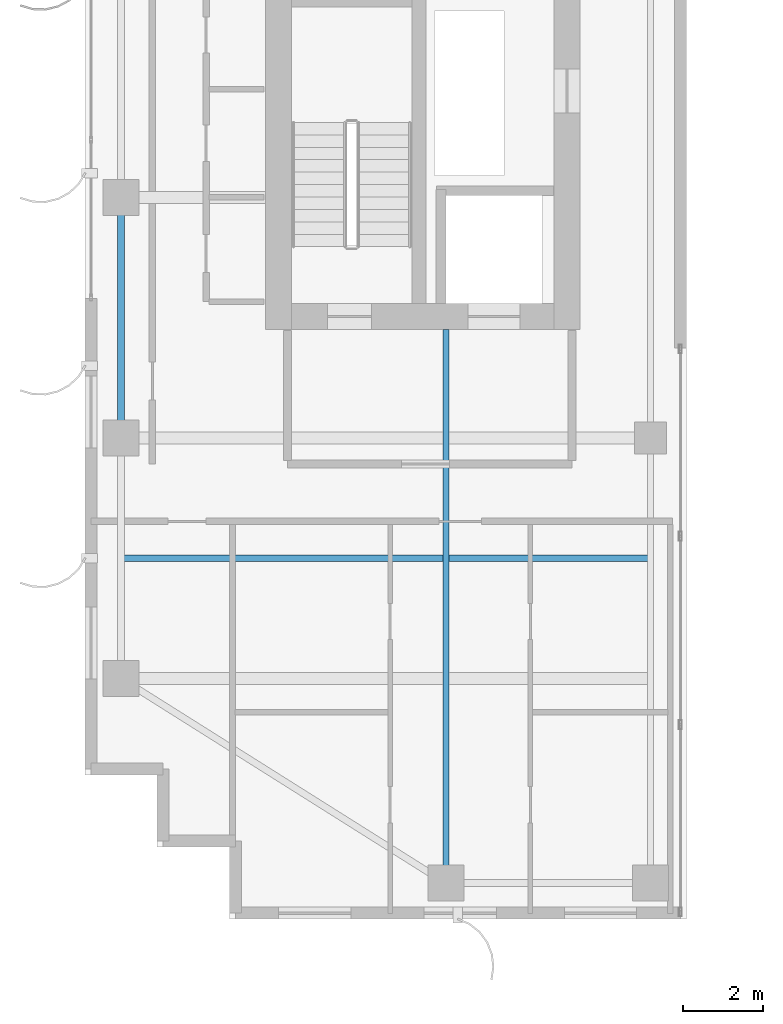
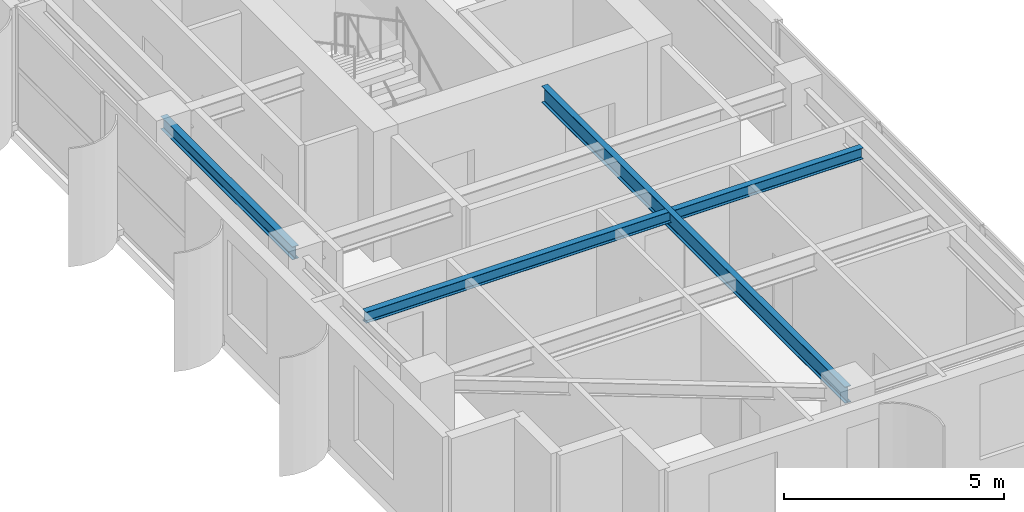
# One storey, part 3 of 22: 3 beams.
"""IFC4 building model written with IfcOpenShell, lengths in metres."""

import ifcopenshell
import ifcopenshell.guid

model = None  # the IFC model being written
_history = None  # IfcOwnerHistory: only IFC2X3 demands one
_inside = {}  # id of a spatial element -> (the spatial element, [elements in it])
_under = {}  # id of a project, library or spatial element -> (it, [spatial elements below it])
_declared = {}  # id of a project -> (the project, [libraries it declares])
_typed = {}  # id of a type object -> (the type object, [elements of that type])
_made_of = {}  # id of a material, layer set ... -> (it, [elements and type objects made of it])


def new_model(schema):
    """Start an empty IFC model of exactly this schema.

    Asked for "IFC4X3", IfcOpenShell would pick the latest addendum, in which some entities
    have other attributes; the version numbers below select the first issue.
    IFC2X3 requires an IfcOwnerHistory on every rooted entity: one is made here for all.
    """
    global model, _history
    if schema == "IFC4X3":
        model = ifcopenshell.file(schema_version=(4, 3, 0, 0))
    else:
        model = ifcopenshell.file(schema=schema)
    _inside.clear()
    _under.clear()
    _declared.clear()
    _typed.clear()
    _made_of.clear()
    _history = None
    if model.schema == "IFC2X3":
        org = make("IfcOrganization", Name="unknown")
        user = make(
            "IfcPersonAndOrganization",
            ThePerson=make("IfcPerson", FamilyName="unknown"),
            TheOrganization=org,
        )
        app = make(
            "IfcApplication",
            ApplicationDeveloper=org,
            Version="unknown",
            ApplicationFullName="unknown",
            ApplicationIdentifier="unknown",
        )
        _history = make(
            "IfcOwnerHistory",
            OwningUser=user,
            OwningApplication=app,
            ChangeAction="ADDED",
            CreationDate=0,
        )
    return model


def make(cls, **values):
    """One entity of the class cls with the attributes given. An attribute that is None is left unset."""
    return model.create_entity(
        cls, **{name: value for name, value in values.items() if value is not None}
    )


def rooted(cls, **values):
    """An entity with a GlobalId (a new one), such as an element, a storey or a relation."""
    return make(cls, GlobalId=ifcopenshell.guid.new(), OwnerHistory=_history, **values)


def si_unit(unit_type, name, prefix=None):
    """IfcSIUnit, for example si_unit("LENGTHUNIT", "METRE", prefix="MILLI")."""
    return make("IfcSIUnit", UnitType=unit_type, Prefix=prefix, Name=name)


def assignment(units):
    """IfcUnitAssignment: the units of a project."""
    return None if units is None else make("IfcUnitAssignment", Units=units)


def point(xyz):
    """IfcCartesianPoint."""
    return None if xyz is None else make("IfcCartesianPoint", Coordinates=xyz)


def direction(xyz):
    """IfcDirection."""
    return None if xyz is None else make("IfcDirection", DirectionRatios=xyz)


def frame(location, z_axis=None, x_axis=None):
    """IfcAxis2Placement3D, a coordinate frame: its origin and axes. An axis left out is left unset."""
    return make(
        "IfcAxis2Placement3D",
        Location=point(location),
        Axis=direction(z_axis),
        RefDirection=direction(x_axis),
    )


def frame_2d(location, x_axis=None):
    """IfcAxis2Placement2D, a coordinate frame in the plane: its origin and x axis."""
    return make(
        "IfcAxis2Placement2D", Location=point(location), RefDirection=direction(x_axis)
    )


def origin():
    """The frame at (0, 0, 0) with its axes left unset."""
    return frame((0.0, 0.0, 0.0))


def origin_2d():
    """The frame at (0, 0) in the plane with its x axis left unset."""
    return frame_2d((0.0, 0.0))


def place(relative_to, where):
    """IfcLocalPlacement: puts the frame where relative to a parent placement (None: the world)."""
    return make(
        "IfcLocalPlacement", PlacementRelTo=relative_to, RelativePlacement=where
    )


def context(
    kind, dimensions, precision=None, world=None, true_north=None, identifier=None
):
    """IfcGeometricRepresentationContext, for example the 3D "Model" context."""
    return make(
        "IfcGeometricRepresentationContext",
        ContextIdentifier=identifier,
        ContextType=kind,
        CoordinateSpaceDimension=dimensions,
        Precision=precision,
        WorldCoordinateSystem=world,
        TrueNorth=true_north,
    )


def subcontext(parent, identifier, kind, view, scale=None):
    """IfcGeometricRepresentationSubContext, for example "Body" below "Model"."""
    return make(
        "IfcGeometricRepresentationSubContext",
        ContextIdentifier=identifier,
        ContextType=kind,
        ParentContext=parent,
        TargetScale=scale,
        TargetView=view,
    )


def project(units=None, contexts=None):
    """IfcProject with its units and contexts."""
    return rooted(
        "IfcProject",
        Name="project",
        RepresentationContexts=contexts,
        UnitsInContext=assignment(units),
    )


def spatial(cls, under=None, at=None, **own):
    """A site, building, storey or space (cls), placed at a placement, below another one or the project."""
    s = rooted(cls, ObjectPlacement=at, **own)
    if under is not None:
        _under.setdefault(under.id(), (under, []))[1].append(s)
    return s


def profile(cls, at=None, kind="AREA", **sizes):
    """A parametric profile (cls). Its sizes go by their IFC names, for example OverallWidth=200.0."""
    return make(cls, ProfileType=kind, Position=at, **sizes)


def i_section(**sizes):
    """IfcIShapeProfileDef."""
    return profile("IfcIShapeProfileDef", **sizes)


def extrude(swept, where, along, depth):
    """IfcExtrudedAreaSolid: the profile swept, set in the frame where, extruded along a direction by depth."""
    return make(
        "IfcExtrudedAreaSolid",
        SweptArea=swept,
        Position=where,
        ExtrudedDirection=direction(along),
        Depth=depth,
    )


def shape(context_of_items, identifier, shape_type, items):
    """IfcShapeRepresentation: the items that make up one representation, for example the "Body"."""
    return make(
        "IfcShapeRepresentation",
        ContextOfItems=context_of_items,
        RepresentationIdentifier=identifier,
        RepresentationType=shape_type,
        Items=items,
    )


def source(mapping_origin, context_of_items, identifier, shape_type, items):
    """IfcRepresentationMap: a shape defined once, which mapped items show again and again."""
    return make(
        "IfcRepresentationMap",
        MappingOrigin=mapping_origin,
        MappedRepresentation=shape(context_of_items, identifier, shape_type, items),
    )


def transform(
    local_origin,
    x_axis=None,
    y_axis=None,
    z_axis=None,
    scale=None,
    scale2=None,
    scale3=None,
    uniform=True,
):
    """IfcCartesianTransformationOperator3D, or its non-uniform kind. x_axis, y_axis, z_axis: its Axis1, 2, 3."""
    if uniform:
        return make(
            "IfcCartesianTransformationOperator3D",
            Axis1=direction(x_axis),
            Axis2=direction(y_axis),
            LocalOrigin=point(local_origin),
            Scale=scale,
            Axis3=direction(z_axis),
        )
    return make(
        "IfcCartesianTransformationOperator3DnonUniform",
        Axis1=direction(x_axis),
        Axis2=direction(y_axis),
        LocalOrigin=point(local_origin),
        Scale=scale,
        Axis3=direction(z_axis),
        Scale2=scale2,
        Scale3=scale3,
    )


def mapped(mapping_source, mapping_target):
    """IfcMappedItem: shows the shape of a source again, moved by a transform."""
    return make(
        "IfcMappedItem", MappingSource=mapping_source, MappingTarget=mapping_target
    )


def material(Name=None, Category=None):
    """IfcMaterial."""
    return make("IfcMaterial", Name=Name, Category=Category)


def material_profile(
    of_material, cross_section, Name=None, Category=None, Priority=None
):
    """IfcMaterialProfile: a cross section and its material."""
    return make(
        "IfcMaterialProfile",
        Name=Name,
        Material=of_material,
        Profile=cross_section,
        Priority=Priority,
        Category=Category,
    )


def profile_set(profiles, Name=None, composite=None):
    """IfcMaterialProfileSet."""
    return make(
        "IfcMaterialProfileSet",
        Name=Name,
        MaterialProfiles=profiles,
        CompositeProfile=composite,
    )


def made_of(thing, what):
    """Note that an element or type object is made of a material, layer set ...; save() writes the relation."""
    if what is not None:
        _made_of.setdefault(what.id(), (what, []))[1].append(thing)
    return thing


def type_object(cls, material=None, **own):
    """A type object (cls), such as IfcWallType, which elements share."""
    return made_of(rooted(cls, **own), material)


def element(
    cls,
    number,
    at=None,
    inside=None,
    cuts=None,
    type_object=None,
    material=None,
    context=None,
    identifier="Body",
    shape_type=None,
    held_by="IfcProductDefinitionShape",
    body=None,
    shapes=None,
    **own,
):
    """One element of the class cls, such as IfcWall. Its Tag is "e" and its number.

    at: its placement. inside: the storey or other place that contains it. cuts: it is an
    opening in that element (IfcRelVoidsElement). A single representation is given by context,
    identifier, shape_type and body (its items); several are given by shapes. held_by: the class
    of the entity that holds the representations. save() writes the other relations.
    """
    e = rooted(cls, Tag="e%d" % number, ObjectPlacement=at, **own)
    if body is not None:
        shapes = [shape(context, identifier, shape_type, body)]
    if shapes is not None:
        e.Representation = make(held_by, Representations=shapes)
    if inside is not None:
        _inside.setdefault(inside.id(), (inside, []))[1].append(e)
    if cuts is not None:
        rooted(
            "IfcRelVoidsElement", RelatingBuildingElement=cuts, RelatedOpeningElement=e
        )
    if type_object is not None:
        _typed.setdefault(type_object.id(), (type_object, []))[1].append(e)
    return made_of(e, material)


def aggregate(whole, parts):
    """IfcRelAggregates: a whole, such as a stair, and the parts it consists of."""
    return rooted("IfcRelAggregates", RelatingObject=whole, RelatedObjects=parts)


def save(model, path):
    """Write the relations noted so far, then the file.

    IfcRelAggregates (storeys below a building ...), IfcRelContainedInSpatialStructure (elements
    in a storey), IfcRelDefinesByType, IfcRelAssociatesMaterial and IfcRelDeclares: one each for
    every whole, place, type object, material and project.
    """
    for whole, parts in _under.values():
        aggregate(whole, parts)
    for where, things in _inside.values():
        rooted(
            "IfcRelContainedInSpatialStructure",
            RelatedElements=things,
            RelatingStructure=where,
        )
    for kind, things in _typed.values():
        rooted("IfcRelDefinesByType", RelatedObjects=things, RelatingType=kind)
    for what, things in _made_of.values():
        rooted("IfcRelAssociatesMaterial", RelatedObjects=things, RelatingMaterial=what)
    for by, libraries in _declared.values():
        rooted("IfcRelDeclares", RelatingContext=by, RelatedDefinitions=libraries)
    model.write(path)


model = new_model("IFC4")

# Units and contexts
model_context = context("Model", 3, precision=1e-05, world=origin(), true_north=direction((0.0, 1.0)))
body_context = subcontext(model_context, "Body", "Model", "MODEL_VIEW")
ifc_project = project(units=[si_unit("LENGTHUNIT", "METRE"), si_unit("AREAUNIT", "SQUARE_METRE"), si_unit("VOLUMEUNIT", "CUBIC_METRE"), si_unit("PLANEANGLEUNIT", "RADIAN"), si_unit("MASSUNIT", "GRAM", prefix="KILO")], contexts=[model_context])

# Site, building, storey
site_placement = place(None, origin())
site = spatial("IfcSite", under=ifc_project, at=site_placement, CompositionType="ELEMENT")
building_placement = place(site_placement, origin())
building = spatial("IfcBuilding", under=site, at=building_placement, Name="Khoralis Quay Care Tower", CompositionType="ELEMENT")
storey_placement = place(building_placement, frame((0.0, 0.0, 209.699951171875)))
storey = spatial("IfcBuildingStorey", under=building, at=storey_placement, Name="L55", CompositionType="ELEMENT", Elevation=209.699951171875)

# Beams
ifc_material = material(Name="Steel S355", Category="steel")
ifc_material_profile_1 = material_profile(ifc_material, i_section(OverallWidth=0.169921875, OverallDepth=0.360107421875, WebThickness=0.008056640625, FlangeThickness=0.0126953125, FilletRadius=0.01806640625, at=origin_2d()), Name="Steel S355")
ifc_profile_set_1 = profile_set([ifc_material_profile_1], Name="Steel S355")
beam_type_1 = type_object("IfcBeamType", Name="BM-IPE360", PredefinedType="SPANDREL", material=ifc_profile_set_1)
shared_shape_1 = source(origin(), body_context, "Body", "SweptSolid", [
    extrude(i_section(OverallWidth=0.169921875, OverallDepth=0.360107421875, WebThickness=0.008056640625, FlangeThickness=0.0126953125, FilletRadius=0.01806640625, at=origin_2d()), origin(), (0.0, 0.0, 1.0), 6.0),
])
beam_1_placement = place(storey_placement, frame((3.89990234375, 12.0, 3.16015625), z_axis=(0.0, 1.0, 0.0), x_axis=(-1.0, 0.0, 0.0)))
element("IfcBeam", 1, at=beam_1_placement, inside=storey, type_object=beam_type_1, Name="BM-TSP-L55-06", PredefinedType="SPANDREL", context=body_context, shape_type="MappedRepresentation", body=[
    mapped(shared_shape_1, transform((0.0, 0.0, 0.0), scale=1.0)),
])
ifc_material_profile_2 = material_profile(ifc_material, i_section(OverallWidth=0.154052734375, OverallDepth=0.458984375, WebThickness=0.009033203125, FlangeThickness=0.015380859375, FilletRadius=0.014892578125, at=origin_2d()), Name="Steel S355")
ifc_profile_set_2 = profile_set([ifc_material_profile_2], Name="Steel S355")
beam_type_2 = type_object("IfcBeamType", Name="BM-W460X68", PredefinedType="BEAM", material=ifc_profile_set_2)
shared_shape_2 = source(origin(), body_context, "Body", "SweptSolid", [
    extrude(i_section(OverallWidth=0.154052734375, OverallDepth=0.458984375, WebThickness=0.009033203125, FlangeThickness=0.015380859375, FilletRadius=0.014892578125, at=origin_2d()), origin(), (0.0, 0.0, 1.0), 13.802001953125),
])
beam_2_placement = place(storey_placement, frame((12.0, 0.89990234375, 3.110595703125), z_axis=(0.0, 1.0, 0.0), x_axis=(-1.0, 0.0, 0.0)))
element("IfcBeam", 2, at=beam_2_placement, inside=storey, type_object=beam_type_2, Name="BM-TGYS-L55-120", PredefinedType="BEAM", context=body_context, shape_type="MappedRepresentation", body=[
    mapped(shared_shape_2, transform((0.0, 0.0, 0.0), scale=1.0)),
])
ifc_material_profile_3 = material_profile(ifc_material, i_section(OverallWidth=0.1650390625, OverallDepth=0.31005859375, WebThickness=0.005859375, FlangeThickness=0.009765625, FilletRadius=0.011962890625, at=origin_2d()), Name="Steel S355")
ifc_profile_set_3 = profile_set([ifc_material_profile_3], Name="Steel S355")
beam_type_3 = type_object("IfcBeamType", Name="BM-W310X39", PredefinedType="JOIST", material=ifc_profile_set_3)
shared_shape_3 = source(origin(), body_context, "Body", "SweptSolid", [
    extrude(i_section(OverallWidth=0.1650390625, OverallDepth=0.31005859375, WebThickness=0.005859375, FlangeThickness=0.009765625, FilletRadius=0.011962890625, at=origin_2d()), origin(), (0.0, 0.0, 1.0), 13.06396484375),
])
beam_3_placement = place(storey_placement, frame((3.970947265625, 9.0, 3.18505859375), z_axis=(1.0, 0.0, 0.0), x_axis=(0.0, 1.0, 0.0)))
element("IfcBeam", 3, at=beam_3_placement, inside=storey, type_object=beam_type_3, Name="BM-TJS-L55-19", PredefinedType="JOIST", context=body_context, shape_type="MappedRepresentation", body=[
    mapped(shared_shape_3, transform((0.0, 0.0, 0.0), scale=1.0)),
])

save(model, "model.ifc")
